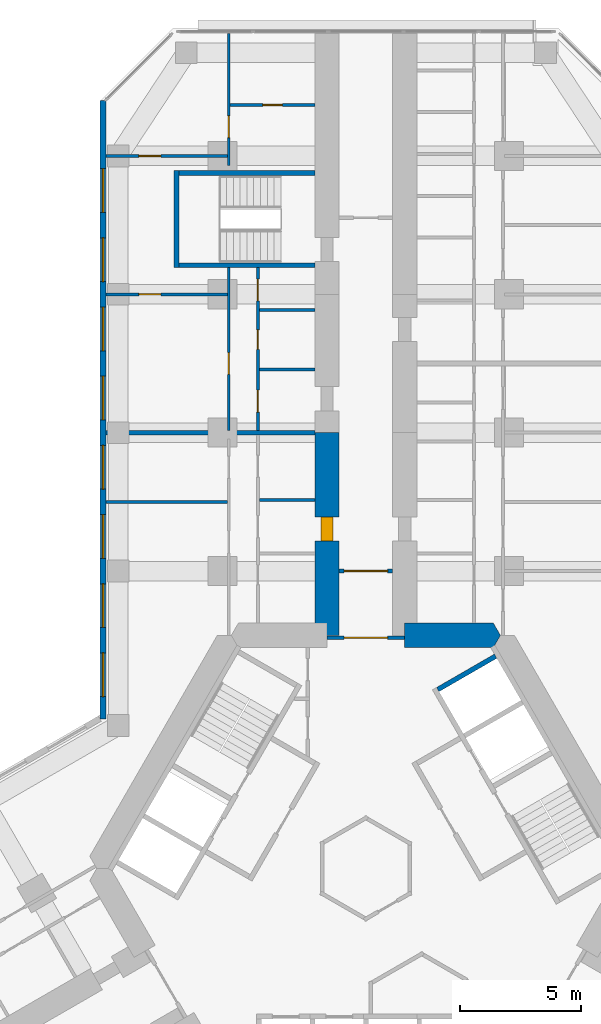
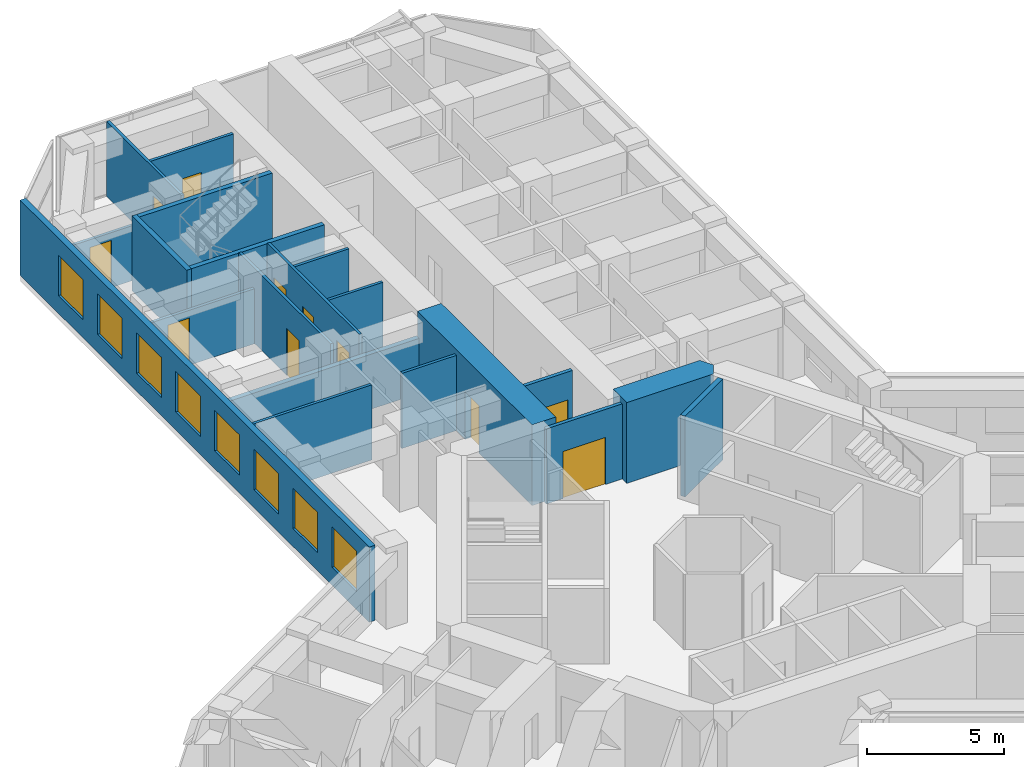
# One storey, part 17 of 21: 20 walls, 11 doors, 8 windows, 19 openings.
"""IFC4 building model written with IfcOpenShell, lengths in metres."""

import ifcopenshell
import ifcopenshell.guid

model = None  # the IFC model being written
_history = None  # IfcOwnerHistory: only IFC2X3 demands one
_inside = {}  # id of a spatial element -> (the spatial element, [elements in it])
_under = {}  # id of a project, library or spatial element -> (it, [spatial elements below it])
_declared = {}  # id of a project -> (the project, [libraries it declares])
_typed = {}  # id of a type object -> (the type object, [elements of that type])
_made_of = {}  # id of a material, layer set ... -> (it, [elements and type objects made of it])


def new_model(schema):
    """Start an empty IFC model of exactly this schema.

    Asked for "IFC4X3", IfcOpenShell would pick the latest addendum, in which some entities
    have other attributes; the version numbers below select the first issue.
    IFC2X3 requires an IfcOwnerHistory on every rooted entity: one is made here for all.
    """
    global model, _history
    if schema == "IFC4X3":
        model = ifcopenshell.file(schema_version=(4, 3, 0, 0))
    else:
        model = ifcopenshell.file(schema=schema)
    _inside.clear()
    _under.clear()
    _declared.clear()
    _typed.clear()
    _made_of.clear()
    _history = None
    if model.schema == "IFC2X3":
        org = make("IfcOrganization", Name="unknown")
        user = make(
            "IfcPersonAndOrganization",
            ThePerson=make("IfcPerson", FamilyName="unknown"),
            TheOrganization=org,
        )
        app = make(
            "IfcApplication",
            ApplicationDeveloper=org,
            Version="unknown",
            ApplicationFullName="unknown",
            ApplicationIdentifier="unknown",
        )
        _history = make(
            "IfcOwnerHistory",
            OwningUser=user,
            OwningApplication=app,
            ChangeAction="ADDED",
            CreationDate=0,
        )
    return model


def make(cls, **values):
    """One entity of the class cls with the attributes given. An attribute that is None is left unset."""
    return model.create_entity(
        cls, **{name: value for name, value in values.items() if value is not None}
    )


def rooted(cls, **values):
    """An entity with a GlobalId (a new one), such as an element, a storey or a relation."""
    return make(cls, GlobalId=ifcopenshell.guid.new(), OwnerHistory=_history, **values)


def si_unit(unit_type, name, prefix=None):
    """IfcSIUnit, for example si_unit("LENGTHUNIT", "METRE", prefix="MILLI")."""
    return make("IfcSIUnit", UnitType=unit_type, Prefix=prefix, Name=name)


def assignment(units):
    """IfcUnitAssignment: the units of a project."""
    return None if units is None else make("IfcUnitAssignment", Units=units)


def point(xyz):
    """IfcCartesianPoint."""
    return None if xyz is None else make("IfcCartesianPoint", Coordinates=xyz)


def direction(xyz):
    """IfcDirection."""
    return None if xyz is None else make("IfcDirection", DirectionRatios=xyz)


def frame(location, z_axis=None, x_axis=None):
    """IfcAxis2Placement3D, a coordinate frame: its origin and axes. An axis left out is left unset."""
    return make(
        "IfcAxis2Placement3D",
        Location=point(location),
        Axis=direction(z_axis),
        RefDirection=direction(x_axis),
    )


def frame_2d(location, x_axis=None):
    """IfcAxis2Placement2D, a coordinate frame in the plane: its origin and x axis."""
    return make(
        "IfcAxis2Placement2D", Location=point(location), RefDirection=direction(x_axis)
    )


def origin():
    """The frame at (0, 0, 0) with its axes left unset."""
    return frame((0.0, 0.0, 0.0))


def place(relative_to, where):
    """IfcLocalPlacement: puts the frame where relative to a parent placement (None: the world)."""
    return make(
        "IfcLocalPlacement", PlacementRelTo=relative_to, RelativePlacement=where
    )


def context(
    kind, dimensions, precision=None, world=None, true_north=None, identifier=None
):
    """IfcGeometricRepresentationContext, for example the 3D "Model" context."""
    return make(
        "IfcGeometricRepresentationContext",
        ContextIdentifier=identifier,
        ContextType=kind,
        CoordinateSpaceDimension=dimensions,
        Precision=precision,
        WorldCoordinateSystem=world,
        TrueNorth=true_north,
    )


def subcontext(parent, identifier, kind, view, scale=None):
    """IfcGeometricRepresentationSubContext, for example "Body" below "Model"."""
    return make(
        "IfcGeometricRepresentationSubContext",
        ContextIdentifier=identifier,
        ContextType=kind,
        ParentContext=parent,
        TargetScale=scale,
        TargetView=view,
    )


def project(units=None, contexts=None):
    """IfcProject with its units and contexts."""
    return rooted(
        "IfcProject",
        Name="project",
        RepresentationContexts=contexts,
        UnitsInContext=assignment(units),
    )


def spatial(cls, under=None, at=None, **own):
    """A site, building, storey or space (cls), placed at a placement, below another one or the project."""
    s = rooted(cls, ObjectPlacement=at, **own)
    if under is not None:
        _under.setdefault(under.id(), (under, []))[1].append(s)
    return s


def polyline(points):
    """IfcPolyline through the points."""
    return make("IfcPolyline", Points=[point(p) for p in points])


def profile(cls, at=None, kind="AREA", **sizes):
    """A parametric profile (cls). Its sizes go by their IFC names, for example OverallWidth=200.0."""
    return make(cls, ProfileType=kind, Position=at, **sizes)


def rectangle(**sizes):
    """IfcRectangleProfileDef."""
    return profile("IfcRectangleProfileDef", **sizes)


def outline(outer, holes=None, kind="AREA"):
    """IfcArbitraryClosedProfileDef: a profile drawn as a closed curve; with holes, ...WithVoids."""
    if holes is None:
        return make("IfcArbitraryClosedProfileDef", ProfileType=kind, OuterCurve=outer)
    return make(
        "IfcArbitraryProfileDefWithVoids",
        ProfileType=kind,
        OuterCurve=outer,
        InnerCurves=holes,
    )


def extrude(swept, where, along, depth):
    """IfcExtrudedAreaSolid: the profile swept, set in the frame where, extruded along a direction by depth."""
    return make(
        "IfcExtrudedAreaSolid",
        SweptArea=swept,
        Position=where,
        ExtrudedDirection=direction(along),
        Depth=depth,
    )


def shape(context_of_items, identifier, shape_type, items):
    """IfcShapeRepresentation: the items that make up one representation, for example the "Body"."""
    return make(
        "IfcShapeRepresentation",
        ContextOfItems=context_of_items,
        RepresentationIdentifier=identifier,
        RepresentationType=shape_type,
        Items=items,
    )


def material(Name=None, Category=None):
    """IfcMaterial."""
    return make("IfcMaterial", Name=Name, Category=Category)


def layer(
    of_material, thickness, ventilated=None, Name=None, Category=None, Priority=None
):
    """IfcMaterialLayer: one layer of a wall or slab, of a material (None: an air gap)."""
    return make(
        "IfcMaterialLayer",
        Material=of_material,
        LayerThickness=thickness,
        IsVentilated=ventilated,
        Name=Name,
        Category=Category,
        Priority=Priority,
    )


def layer_set(layers, Name=None):
    """IfcMaterialLayerSet."""
    return make("IfcMaterialLayerSet", MaterialLayers=layers, LayerSetName=Name)


def made_of(thing, what):
    """Note that an element or type object is made of a material, layer set ...; save() writes the relation."""
    if what is not None:
        _made_of.setdefault(what.id(), (what, []))[1].append(thing)
    return thing


def type_object(cls, material=None, **own):
    """A type object (cls), such as IfcWallType, which elements share."""
    return made_of(rooted(cls, **own), material)


def element(
    cls,
    number,
    at=None,
    inside=None,
    cuts=None,
    type_object=None,
    material=None,
    context=None,
    identifier="Body",
    shape_type=None,
    held_by="IfcProductDefinitionShape",
    body=None,
    shapes=None,
    **own,
):
    """One element of the class cls, such as IfcWall. Its Tag is "e" and its number.

    at: its placement. inside: the storey or other place that contains it. cuts: it is an
    opening in that element (IfcRelVoidsElement). A single representation is given by context,
    identifier, shape_type and body (its items); several are given by shapes. held_by: the class
    of the entity that holds the representations. save() writes the other relations.
    """
    e = rooted(cls, Tag="e%d" % number, ObjectPlacement=at, **own)
    if body is not None:
        shapes = [shape(context, identifier, shape_type, body)]
    if shapes is not None:
        e.Representation = make(held_by, Representations=shapes)
    if inside is not None:
        _inside.setdefault(inside.id(), (inside, []))[1].append(e)
    if cuts is not None:
        rooted(
            "IfcRelVoidsElement", RelatingBuildingElement=cuts, RelatedOpeningElement=e
        )
    if type_object is not None:
        _typed.setdefault(type_object.id(), (type_object, []))[1].append(e)
    return made_of(e, material)


def fill(opening, filler):
    """IfcRelFillsElement: the door or window that sits in an opening."""
    return rooted(
        "IfcRelFillsElement",
        RelatingOpeningElement=opening,
        RelatedBuildingElement=filler,
    )


def aggregate(whole, parts):
    """IfcRelAggregates: a whole, such as a stair, and the parts it consists of."""
    return rooted("IfcRelAggregates", RelatingObject=whole, RelatedObjects=parts)


def save(model, path):
    """Write the relations noted so far, then the file.

    IfcRelAggregates (storeys below a building ...), IfcRelContainedInSpatialStructure (elements
    in a storey), IfcRelDefinesByType, IfcRelAssociatesMaterial and IfcRelDeclares: one each for
    every whole, place, type object, material and project.
    """
    for whole, parts in _under.values():
        aggregate(whole, parts)
    for where, things in _inside.values():
        rooted(
            "IfcRelContainedInSpatialStructure",
            RelatedElements=things,
            RelatingStructure=where,
        )
    for kind, things in _typed.values():
        rooted("IfcRelDefinesByType", RelatedObjects=things, RelatingType=kind)
    for what, things in _made_of.values():
        rooted("IfcRelAssociatesMaterial", RelatedObjects=things, RelatingMaterial=what)
    for by, libraries in _declared.values():
        rooted("IfcRelDeclares", RelatingContext=by, RelatedDefinitions=libraries)
    model.write(path)


model = new_model("IFC4")

# Units and contexts
model_context = context("Model", 3, precision=1e-05, world=origin(), true_north=direction((0.0, 1.0)))
body_context = subcontext(model_context, "Body", "Model", "MODEL_VIEW")
ifc_project = project(units=[si_unit("LENGTHUNIT", "METRE"), si_unit("AREAUNIT", "SQUARE_METRE"), si_unit("VOLUMEUNIT", "CUBIC_METRE"), si_unit("PLANEANGLEUNIT", "RADIAN"), si_unit("MASSUNIT", "GRAM", prefix="KILO")], contexts=[model_context])

# Site, building, storey
site_placement = place(None, origin())
site = spatial("IfcSite", under=ifc_project, at=site_placement, CompositionType="ELEMENT")
building_placement = place(site_placement, origin())
building = spatial("IfcBuilding", under=site, at=building_placement, Name="Kosmar Iwan School Tower", CompositionType="ELEMENT")
storey_placement = place(building_placement, frame((0.0, 0.0, 80.800048828125)))
storey = spatial("IfcBuildingStorey", under=building, at=storey_placement, Name="L19", CompositionType="ELEMENT", Elevation=80.800048828125)

# Wall
ifc_material_1 = material(Name="Concrete C50/60", Category="concrete")
ifc_layer_1 = layer(ifc_material_1, 1.0)
ifc_layer_set_1 = layer_set([ifc_layer_1], Name="Core wall 1000")
wall_type_1 = type_object("IfcWallType", Name="Core wall 1000", PredefinedType="SHEAR", material=ifc_layer_set_1)
wall_1_placement = place(storey_placement, origin())
element("IfcWall", 1, at=wall_1_placement, inside=storey, type_object=wall_type_1, Name="Core wall F090a", PredefinedType="SHEAR", context=body_context, shape_type="SweptSolid", body=[
    extrude(outline(polyline([(1.60009765625, 9.10009765625), (5.25390625, 9.10009765625), (5.54248046875, 9.60009765625), (5.25390625, 10.10009765625), (1.60009765625, 10.10009765625), (1.60009765625, 9.10009765625)])), origin(), (0.0, 0.0, 1.0), 3.599853515625),
])

# Wall, opening, door
ifc_material_2 = material(Name="Concrete C50/60", Category="concrete")
ifc_layer_2 = layer(ifc_material_2, 1.0)
ifc_layer_set_2 = layer_set([ifc_layer_2], Name="Corridor buttress wall 1000")
wall_type_2 = type_object("IfcWallType", Name="Corridor buttress wall 1000", PredefinedType="SHEAR", material=ifc_layer_set_2)
wall_2_placement = place(storey_placement, frame((-1.60009765625, 9.60009765625, 0.0), z_axis=(0.0, 0.0, 1.0), x_axis=(0.0, 1.0, 0.0)))
wall_2 = element("IfcWall", 2, at=wall_2_placement, inside=storey, type_object=wall_type_2, Name="Corridor wall AL", PredefinedType="SHEAR", context=body_context, shape_type="SweptSolid", body=[
    extrude(rectangle(XDim=8.349853515625, YDim=1.0, at=frame_2d((4.1748046875, 0.0))), origin(), (0.0, 0.0, 1.0), 3.599853515625),
])
opening_1_placement = place(wall_2_placement, frame((3.8798828125, 0.0, 0.0)))
opening_1 = element("IfcOpeningElement", 3, at=opening_1_placement, cuts=wall_2, Name="Opening D1", PredefinedType="OPENING", context=body_context, shape_type="SweptSolid", body=[
    extrude(rectangle(XDim=1.0, YDim=2.10009765625, at=frame_2d((0.5, 1.050048828125))), frame((0.0, 0.511962890625, 0.0), z_axis=(0.0, -1.0, 0.0), x_axis=(1.0, 0.0, 0.0)), (0.0, 0.0, 1.0), 1.02392578125),
])
ifc_material_3 = material(Name="Timber fire door in steel frame", Category="steel")
door_type_1 = type_object("IfcDoorType", Name="Flat entrance door 1000x2100", OperationType="SINGLE_SWING_LEFT", PredefinedType="DOOR", material=ifc_material_3)
door_1_placement = place(opening_1_placement, origin())
door_1 = element("IfcDoor", 4, at=door_1_placement, inside=storey, type_object=door_type_1, Name="Flat L19-AL1 entrance door", OperationType="SINGLE_SWING_LEFT", OverallHeight=2.10009765625, OverallWidth=1.0, PredefinedType="DOOR", context=body_context, shape_type="SweptSolid", body=[
    extrude(rectangle(XDim=1.0, YDim=2.10009765625, at=frame_2d((0.5, 1.050048828125))), frame((0.0, 0.25, 0.0), z_axis=(0.0, -1.0, 0.0), x_axis=(1.0, 0.0, 0.0)), (0.0, 0.0, 1.0), 0.5),
])
fill(opening_1, door_1)

ifc_material_4 = material(Name="Gypsum board on steel studs, fire-rated", Category="steel")
ifc_layer_3 = layer(ifc_material_4, 0.14990234375)
ifc_layer_set_3 = layer_set([ifc_layer_3], Name="Corridor end wall 150")
wall_type_3 = type_object("IfcWallType", Name="Corridor end wall 150", PredefinedType="PARTITIONING", material=ifc_layer_set_3)
wall_3_placement = place(storey_placement, frame((1.10009765625, 12.25, 0.0), z_axis=(0.0, 0.0, 1.0), x_axis=(-1.0, 0.0, 0.0)))
wall_3 = element("IfcWall", 5, at=wall_3_placement, inside=storey, type_object=wall_type_3, Name="Partition L19-A-HW", PredefinedType="PARTITIONING", context=body_context, shape_type="SweptSolid", body=[
    extrude(rectangle(XDim=2.2001953125, YDim=0.14990234375, at=frame_2d((1.10009765625, 0.0))), origin(), (0.0, 0.0, 1.0), 3.349853515625),
])
opening_2_placement = place(wall_3_placement, frame((0.199951171875, 0.0, 0.0)))
opening_2 = element("IfcOpeningElement", 6, at=opening_2_placement, cuts=wall_3, Name="Opening D9", PredefinedType="OPENING", context=body_context, shape_type="SweptSolid", body=[
    extrude(rectangle(XDim=1.800048828125, YDim=2.10009765625, at=frame_2d((0.89990234375, 1.050048828125))), frame((0.0, 0.0869140625, 0.0), z_axis=(0.0, -1.0, 0.0), x_axis=(1.0, 0.0, 0.0)), (0.0, 0.0, 1.0), 0.173828125),
])
ifc_material_5 = material(Name="Steel framed glazed smoke door", Category="steel")
door_type_2 = type_object("IfcDoorType", Name="Corridor smoke door pair 1800x2100", OperationType="DOUBLE_DOOR_DOUBLE_SWING", PredefinedType="DOOR", material=ifc_material_5)
door_2_placement = place(opening_2_placement, origin())
door_2 = element("IfcDoor", 7, at=door_2_placement, inside=storey, type_object=door_type_2, Name="Entrance vestibule smoke doors L19-A", OperationType="DOUBLE_DOOR_DOUBLE_SWING", OverallHeight=2.10009765625, OverallWidth=1.800048828125, PredefinedType="DOOR", context=body_context, shape_type="SweptSolid", body=[
    extrude(rectangle(XDim=1.800048828125, YDim=2.10009765625, at=frame_2d((0.89990234375, 1.050048828125))), frame((0.0, 0.02490234375, 0.0), z_axis=(0.0, -1.0, 0.0), x_axis=(1.0, 0.0, 0.0)), (0.0, 0.0, 1.0), 0.050048828125),
])
fill(opening_2, door_2)

ifc_material_6 = material(Name="Steel framed glazed screen", Category="steel")
ifc_layer_4 = layer(ifc_material_6, 0.14990234375)
ifc_layer_set_4 = layer_set([ifc_layer_4], Name="Corridor screen wall 150")
wall_type_4 = type_object("IfcWallType", Name="Corridor screen wall 150", PredefinedType="PARTITIONING", material=ifc_layer_set_4)
wall_4_placement = place(storey_placement, frame((1.60009765625, 9.5, 0.0), z_axis=(0.0, 0.0, 1.0), x_axis=(-1.0, 0.0, 0.0)))
wall_4 = element("IfcWall", 8, at=wall_4_placement, inside=storey, type_object=wall_type_4, Name="Corridor screen A L19", PredefinedType="PARTITIONING", context=body_context, shape_type="SweptSolid", body=[
    extrude(rectangle(XDim=3.2001953125, YDim=0.14990234375, at=frame_2d((1.60009765625, 0.0))), origin(), (0.0, 0.0, 1.0), 3.349853515625),
])
opening_3_placement = place(wall_4_placement, frame((0.699951171875, 0.0, 0.0)))
opening_3 = element("IfcOpeningElement", 9, at=opening_3_placement, cuts=wall_4, Name="Opening D9", PredefinedType="OPENING", context=body_context, shape_type="SweptSolid", body=[
    extrude(rectangle(XDim=1.800048828125, YDim=2.10009765625, at=frame_2d((0.89990234375, 1.050048828125))), frame((0.0, 0.0869140625, 0.0), z_axis=(0.0, -1.0, 0.0), x_axis=(1.0, 0.0, 0.0)), (0.0, 0.0, 1.0), 0.173828125),
])
door_3_placement = place(opening_3_placement, origin())
door_3 = element("IfcDoor", 10, at=door_3_placement, inside=storey, type_object=door_type_2, Name="Corridor doors A L19", OperationType="DOUBLE_DOOR_DOUBLE_SWING", OverallHeight=2.10009765625, OverallWidth=1.800048828125, PredefinedType="DOOR", context=body_context, shape_type="SweptSolid", body=[
    extrude(rectangle(XDim=1.800048828125, YDim=2.10009765625, at=frame_2d((0.89990234375, 1.050048828125))), frame((0.0, 0.02490234375, 0.0), z_axis=(0.0, -1.0, 0.0), x_axis=(1.0, 0.0, 0.0)), (0.0, 0.0, 1.0), 0.050048828125),
])
fill(opening_3, door_3)

# Walls
ifc_material_7 = material(Name="Gypsum board on steel studs", Category="steel")
ifc_layer_5 = layer(ifc_material_7, 0.1201171875)
ifc_layer_set_5 = layer_set([ifc_layer_5], Name="Dwelling partition 120")
wall_type_5 = type_object("IfcWallType", Name="Dwelling partition 120", PredefinedType="PARTITIONING", material=ifc_layer_set_5)
wall_5_placement = place(storey_placement, frame((-5.7099609375, 15.10009765625, 0.0), z_axis=(0.0, 0.0, 1.0), x_axis=(-1.0, 0.0, 0.0)))
element("IfcWall", 11, at=wall_5_placement, inside=storey, type_object=wall_type_5, Name="Partition L19-AL1-X1", PredefinedType="PARTITIONING", context=body_context, shape_type="SweptSolid", body=[
    extrude(rectangle(XDim=4.989990234375, YDim=0.1201171875, at=frame_2d((2.4951171875, 0.0))), origin(), (0.0, 0.0, 1.0), 3.349853515625),
])
wall_6_placement = place(storey_placement, frame((-2.10009765625, 15.179931640625, 0.0), z_axis=(0.0, 0.0, 1.0), x_axis=(-1.0, 0.0, 0.0)))
element("IfcWall", 12, at=wall_6_placement, inside=storey, type_object=wall_type_5, Name="Partition L19-AL1-Y2", PredefinedType="PARTITIONING", context=body_context, shape_type="SweptSolid", body=[
    extrude(rectangle(XDim=2.289794921875, YDim=0.1201171875, at=frame_2d((1.14501953125, 0.0))), origin(), (0.0, 0.0, 1.0), 3.349853515625),
])

# Wall, openings, doors
wall_7_placement = place(storey_placement, frame((-4.449951171875, 18.050048828125, 0.0), z_axis=(0.0, 0.0, 1.0), x_axis=(0.0, 1.0, 0.0)))
wall_7 = element("IfcWall", 13, at=wall_7_placement, inside=storey, type_object=wall_type_5, Name="Partition L19-AL2-W1", PredefinedType="PARTITIONING", context=body_context, shape_type="SweptSolid", body=[
    extrude(rectangle(XDim=6.699951171875, YDim=0.1201171875, at=frame_2d((3.35009765625, 0.0))), origin(), (0.0, 0.0, 1.0), 3.349853515625),
])
opening_4_placement = place(wall_7_placement, frame((0.75, 0.0, 0.0)))
opening_4 = element("IfcOpeningElement", 14, at=opening_4_placement, cuts=wall_7, Name="Opening D2", PredefinedType="OPENING", context=body_context, shape_type="SweptSolid", body=[
    extrude(rectangle(XDim=0.89990234375, YDim=2.10009765625, at=frame_2d((0.449951171875, 1.050048828125))), frame((0.0, 0.072021484375, 0.0), z_axis=(0.0, -1.0, 0.0), x_axis=(1.0, 0.0, 0.0)), (0.0, 0.0, 1.0), 0.14404296875),
])
opening_5_placement = place(wall_7_placement, frame((3.330078125, 0.0, 0.0)))
opening_5 = element("IfcOpeningElement", 15, at=opening_5_placement, cuts=wall_7, Name="Opening D3", PredefinedType="OPENING", context=body_context, shape_type="SweptSolid", body=[
    extrude(rectangle(XDim=0.800048828125, YDim=2.10009765625, at=frame_2d((0.39990234375, 1.050048828125))), frame((0.0, 0.072021484375, 0.0), z_axis=(0.0, -1.0, 0.0), x_axis=(1.0, 0.0, 0.0)), (0.0, 0.0, 1.0), 0.14404296875),
])
opening_6_placement = place(wall_7_placement, frame((5.330078125, 0.0, 0.0)))
opening_6 = element("IfcOpeningElement", 16, at=opening_6_placement, cuts=wall_7, Name="Opening D2", PredefinedType="OPENING", context=body_context, shape_type="SweptSolid", body=[
    extrude(rectangle(XDim=0.89990234375, YDim=2.10009765625, at=frame_2d((0.449951171875, 1.050048828125))), frame((0.0, 0.072021484375, 0.0), z_axis=(0.0, -1.0, 0.0), x_axis=(1.0, 0.0, 0.0)), (0.0, 0.0, 1.0), 0.14404296875),
])
ifc_material_8 = material(Name="Timber door in timber frame", Category="wood")
door_type_3 = type_object("IfcDoorType", Name="Internal door 900x2100", OperationType="SINGLE_SWING_LEFT", PredefinedType="DOOR", material=ifc_material_8)
door_4_placement = place(opening_4_placement, origin())
door_4 = element("IfcDoor", 17, at=door_4_placement, inside=storey, type_object=door_type_3, Name="Entrance hall door L19-AL2-S1", OperationType="SINGLE_SWING_LEFT", OverallHeight=2.10009765625, OverallWidth=0.89990234375, PredefinedType="DOOR", context=body_context, shape_type="SweptSolid", body=[
    extrude(rectangle(XDim=0.89990234375, YDim=2.10009765625, at=frame_2d((0.449951171875, 1.050048828125))), frame((0.0, 0.02490234375, 0.0), z_axis=(0.0, -1.0, 0.0), x_axis=(1.0, 0.0, 0.0)), (0.0, 0.0, 1.0), 0.050048828125),
])
fill(opening_4, door_4)
door_5_placement = place(opening_6_placement, frame((0.89990234375, 0.0, 0.0), z_axis=(0.0, 0.0, 1.0), x_axis=(-1.0, 0.0, 0.0)))
door_5 = element("IfcDoor", 18, at=door_5_placement, inside=storey, type_object=door_type_3, Name="Pantry door L19-AL2-S3", OperationType="SINGLE_SWING_LEFT", OverallHeight=2.10009765625, OverallWidth=0.89990234375, PredefinedType="DOOR", context=body_context, shape_type="SweptSolid", body=[
    extrude(rectangle(XDim=0.89990234375, YDim=2.10009765625, at=frame_2d((0.449951171875, 1.050048828125))), frame((0.0, 0.02490234375, 0.0), z_axis=(0.0, -1.0, 0.0), x_axis=(1.0, 0.0, 0.0)), (0.0, 0.0, 1.0), 0.050048828125),
])
fill(opening_6, door_5)
ifc_material_9 = material(Name="Timber door in timber frame", Category="wood")
door_type_4 = type_object("IfcDoorType", Name="Sanitary room door 800x2100", OperationType="SINGLE_SWING_LEFT", PredefinedType="DOOR", material=ifc_material_9)
door_6_placement = place(opening_5_placement, origin())
door_6 = element("IfcDoor", 19, at=door_6_placement, inside=storey, type_object=door_type_4, Name="Bathroom door L19-AL2-S2", OperationType="SINGLE_SWING_RIGHT", OverallHeight=2.10009765625, OverallWidth=0.800048828125, PredefinedType="DOOR", context=body_context, shape_type="SweptSolid", body=[
    extrude(rectangle(XDim=0.800048828125, YDim=2.10009765625, at=frame_2d((0.39990234375, 1.050048828125))), frame((0.0, 0.02490234375, 0.0), z_axis=(0.0, -1.0, 0.0), x_axis=(1.0, 0.0, 0.0)), (0.0, 0.0, 1.0), 0.050048828125),
])
fill(opening_5, door_6)

# Wall, opening, door
wall_8_placement = place(storey_placement, frame((-5.64990234375, 18.050048828125, 0.0), z_axis=(0.0, 0.0, 1.0), x_axis=(0.0, 1.0, 0.0)))
wall_8 = element("IfcWall", 20, at=wall_8_placement, inside=storey, type_object=wall_type_5, Name="Partition L19-AL2-W2", PredefinedType="PARTITIONING", context=body_context, shape_type="SweptSolid", body=[
    extrude(rectangle(XDim=6.699951171875, YDim=0.1201171875, at=frame_2d((3.35009765625, 0.0))), origin(), (0.0, 0.0, 1.0), 3.349853515625),
])
opening_7_placement = place(wall_8_placement, frame((2.300048828125, 0.0, 0.0)))
opening_7 = element("IfcOpeningElement", 21, at=opening_7_placement, cuts=wall_8, Name="Opening D2", PredefinedType="OPENING", context=body_context, shape_type="SweptSolid", body=[
    extrude(rectangle(XDim=0.89990234375, YDim=2.10009765625, at=frame_2d((0.449951171875, 1.050048828125))), frame((0.0, 0.072021484375, 0.0), z_axis=(0.0, -1.0, 0.0), x_axis=(1.0, 0.0, 0.0)), (0.0, 0.0, 1.0), 0.14404296875),
])
door_7_placement = place(opening_7_placement, origin())
door_7 = element("IfcDoor", 22, at=door_7_placement, inside=storey, type_object=door_type_3, Name="Studio living room and kitchen door L19-AL2-F1", OperationType="SINGLE_SWING_LEFT", OverallHeight=2.10009765625, OverallWidth=0.89990234375, PredefinedType="DOOR", context=body_context, shape_type="SweptSolid", body=[
    extrude(rectangle(XDim=0.89990234375, YDim=2.10009765625, at=frame_2d((0.449951171875, 1.050048828125))), frame((0.0, 0.02490234375, 0.0), z_axis=(0.0, -1.0, 0.0), x_axis=(1.0, 0.0, 0.0)), (0.0, 0.0, 1.0), 0.050048828125),
])
fill(opening_7, door_7)

# Walls
for number, where, z_axis, x_axis, name in (
    (23, (-2.10009765625, 20.550048828125, 0.0), (0.0, 0.0, 1.0), (-1.0, 0.0, 0.0), "Partition L19-AL2-Y1"),
    (24, (-2.10009765625, 23.010009765625, 0.0), (0.0, 0.0, 1.0), (-1.0, 0.0, 0.0), "Partition L19-AL2-Y2"),
):
    element("IfcWall", number, at=place(storey_placement, frame(where, z_axis=z_axis, x_axis=x_axis)), inside=storey, type_object=wall_type_5, Name=name, PredefinedType="PARTITIONING", context=body_context, shape_type="SweptSolid", body=[
        extrude(rectangle(XDim=2.289794921875, YDim=0.1201171875, at=frame_2d((1.14501953125, 0.0))), origin(), (0.0, 0.0, 1.0), 3.349853515625),
    ])

# Wall, opening, door
wall_9_placement = place(storey_placement, frame((-5.7099609375, 23.64990234375, 0.0), z_axis=(0.0, 0.0, 1.0), x_axis=(-1.0, 0.0, 0.0)))
wall_9 = element("IfcWall", 25, at=wall_9_placement, inside=storey, type_object=wall_type_5, Name="Partition L19-AL2-TB", PredefinedType="PARTITIONING", context=body_context, shape_type="SweptSolid", body=[
    extrude(rectangle(XDim=4.989990234375, YDim=0.1201171875, at=frame_2d((2.4951171875, 0.0))), origin(), (0.0, 0.0, 1.0), 2.449951171875),
])
opening_8_placement = place(wall_9_placement, frame((2.739990234375, 0.0, 0.0)))
opening_8 = element("IfcOpeningElement", 26, at=opening_8_placement, cuts=wall_9, Name="Opening D2", PredefinedType="OPENING", context=body_context, shape_type="SweptSolid", body=[
    extrude(rectangle(XDim=0.89990234375, YDim=2.10009765625, at=frame_2d((0.449951171875, 1.050048828125))), frame((0.0, 0.072021484375, 0.0), z_axis=(0.0, -1.0, 0.0), x_axis=(1.0, 0.0, 0.0)), (0.0, 0.0, 1.0), 0.14404296875),
])
door_8_placement = place(opening_8_placement, origin())
door_8 = element("IfcDoor", 27, at=door_8_placement, inside=storey, type_object=door_type_3, Name="Study door L19-AL2-F1", OperationType="SINGLE_SWING_RIGHT", OverallHeight=2.10009765625, OverallWidth=0.89990234375, PredefinedType="DOOR", context=body_context, shape_type="SweptSolid", body=[
    extrude(rectangle(XDim=0.89990234375, YDim=2.10009765625, at=frame_2d((0.449951171875, 1.050048828125))), frame((0.0, 0.02490234375, 0.0), z_axis=(0.0, -1.0, 0.0), x_axis=(1.0, 0.0, 0.0)), (0.0, 0.0, 1.0), 0.050048828125),
])
fill(opening_8, door_8)

wall_10_placement = place(storey_placement, frame((-5.7099609375, 29.35009765625, 0.0), z_axis=(0.0, 0.0, 1.0), x_axis=(-1.0, 0.0, 0.0)))
wall_10 = element("IfcWall", 28, at=wall_10_placement, inside=storey, type_object=wall_type_5, Name="Partition L19-AL2-TX", PredefinedType="PARTITIONING", context=body_context, shape_type="SweptSolid", body=[
    extrude(rectangle(XDim=4.989990234375, YDim=0.1201171875, at=frame_2d((2.4951171875, 0.0))), origin(), (0.0, 0.0, 1.0), 2.449951171875),
])
opening_9_placement = place(wall_10_placement, frame((2.739990234375, 0.0, 0.0)))
opening_9 = element("IfcOpeningElement", 29, at=opening_9_placement, cuts=wall_10, Name="Opening D2", PredefinedType="OPENING", context=body_context, shape_type="SweptSolid", body=[
    extrude(rectangle(XDim=0.89990234375, YDim=2.10009765625, at=frame_2d((0.449951171875, 1.050048828125))), frame((0.0, 0.072021484375, 0.0), z_axis=(0.0, -1.0, 0.0), x_axis=(1.0, 0.0, 0.0)), (0.0, 0.0, 1.0), 0.14404296875),
])
door_9_placement = place(opening_9_placement, origin())
door_9 = element("IfcDoor", 30, at=door_9_placement, inside=storey, type_object=door_type_3, Name="Study door L19-AL2-T1", OperationType="SINGLE_SWING_RIGHT", OverallHeight=2.10009765625, OverallWidth=0.89990234375, PredefinedType="DOOR", context=body_context, shape_type="SweptSolid", body=[
    extrude(rectangle(XDim=0.89990234375, YDim=2.10009765625, at=frame_2d((0.449951171875, 1.050048828125))), frame((0.0, 0.02490234375, 0.0), z_axis=(0.0, -1.0, 0.0), x_axis=(1.0, 0.0, 0.0)), (0.0, 0.0, 1.0), 0.050048828125),
])
fill(opening_9, door_9)

wall_11_placement = place(storey_placement, frame((-5.64990234375, 28.949951171875, 0.0), z_axis=(0.0, 0.0, 1.0), x_axis=(0.0, 1.0, 0.0)))
wall_11 = element("IfcWall", 31, at=wall_11_placement, inside=storey, type_object=wall_type_5, Name="Partition L19-AL2-TW", PredefinedType="PARTITIONING", context=body_context, shape_type="SweptSolid", body=[
    extrude(rectangle(XDim=5.445068359375, YDim=0.1201171875, at=frame_2d((2.72265625, 0.0))), origin(), (0.0, 0.0, 1.0), 3.349853515625),
])
opening_10_placement = place(wall_11_placement, frame((1.14990234375, 0.0, 0.0)))
opening_10 = element("IfcOpeningElement", 32, at=opening_10_placement, cuts=wall_11, Name="Opening D2", PredefinedType="OPENING", context=body_context, shape_type="SweptSolid", body=[
    extrude(rectangle(XDim=0.89990234375, YDim=2.10009765625, at=frame_2d((0.449951171875, 1.050048828125))), frame((0.0, 0.072021484375, 0.0), z_axis=(0.0, -1.0, 0.0), x_axis=(1.0, 0.0, 0.0)), (0.0, 0.0, 1.0), 0.14404296875),
])
door_10_placement = place(opening_10_placement, origin())
door_10 = element("IfcDoor", 33, at=door_10_placement, inside=storey, type_object=door_type_3, Name="Dressing room door L19-AL2-T3", OperationType="SINGLE_SWING_LEFT", OverallHeight=2.10009765625, OverallWidth=0.89990234375, PredefinedType="DOOR", context=body_context, shape_type="SweptSolid", body=[
    extrude(rectangle(XDim=0.89990234375, YDim=2.10009765625, at=frame_2d((0.449951171875, 1.050048828125))), frame((0.0, 0.02490234375, 0.0), z_axis=(0.0, -1.0, 0.0), x_axis=(1.0, 0.0, 0.0)), (0.0, 0.0, 1.0), 0.050048828125),
])
fill(opening_10, door_10)

wall_12_placement = place(storey_placement, frame((-2.10009765625, 31.449951171875, 0.0), z_axis=(0.0, 0.0, 1.0), x_axis=(-1.0, 0.0, 0.0)))
wall_12 = element("IfcWall", 34, at=wall_12_placement, inside=storey, type_object=wall_type_5, Name="Partition L19-AL2-TY", PredefinedType="PARTITIONING", context=body_context, shape_type="SweptSolid", body=[
    extrude(rectangle(XDim=3.489990234375, YDim=0.1201171875, at=frame_2d((1.7451171875, 0.0))), origin(), (0.0, 0.0, 1.0), 3.349853515625),
])
opening_11_placement = place(wall_12_placement, frame((1.344970703125, 0.0, 0.0)))
opening_11 = element("IfcOpeningElement", 35, at=opening_11_placement, cuts=wall_12, Name="Opening D3", PredefinedType="OPENING", context=body_context, shape_type="SweptSolid", body=[
    extrude(rectangle(XDim=0.800048828125, YDim=2.10009765625, at=frame_2d((0.39990234375, 1.050048828125))), frame((0.0, 0.072021484375, 0.0), z_axis=(0.0, -1.0, 0.0), x_axis=(1.0, 0.0, 0.0)), (0.0, 0.0, 1.0), 0.14404296875),
])
door_11_placement = place(opening_11_placement, origin())
door_11 = element("IfcDoor", 36, at=door_11_placement, inside=storey, type_object=door_type_4, Name="Shower room door L19-AL2-T4", OperationType="SINGLE_SWING_RIGHT", OverallHeight=2.10009765625, OverallWidth=0.800048828125, PredefinedType="DOOR", context=body_context, shape_type="SweptSolid", body=[
    extrude(rectangle(XDim=0.800048828125, YDim=2.10009765625, at=frame_2d((0.39990234375, 1.050048828125))), frame((0.0, 0.02490234375, 0.0), z_axis=(0.0, -1.0, 0.0), x_axis=(1.0, 0.0, 0.0)), (0.0, 0.0, 1.0), 0.050048828125),
])
fill(opening_11, door_11)

# Walls
ifc_material_10 = material(Name="Concrete C35/45", Category="concrete")
ifc_layer_6 = layer(ifc_material_10, 0.199951171875)
ifc_layer_set_6 = layer_set([ifc_layer_6], Name="Escape stair wall 200")
wall_type_6 = type_object("IfcWallType", Name="Escape stair wall 200", PredefinedType="SHEAR", material=ifc_layer_set_6)
for number, where, z_axis, x_axis, name in (
    (37, (-2.10009765625, 24.85009765625, 0.0), (0.0, 0.0, 1.0), (-1.0, 0.0, 0.0), "Stair WS1 wall"),
    (38, (-2.10009765625, 28.64990234375, 0.0), (0.0, 0.0, 1.0), (-1.0, 0.0, 0.0), "Stair WS1 wall"),
):
    element("IfcWall", number, at=place(storey_placement, frame(where, z_axis=z_axis, x_axis=x_axis)), inside=storey, type_object=wall_type_6, Name=name, PredefinedType="SHEAR", context=body_context, shape_type="SweptSolid", body=[
        extrude(rectangle(XDim=5.7998046875, YDim=0.199951171875, at=frame_2d((2.89990234375, 0.0))), origin(), (0.0, 0.0, 1.0), 3.329833984375),
    ])
wall_13_placement = place(storey_placement, frame((-7.800048828125, 24.75, 0.0), z_axis=(0.0, 0.0, 1.0), x_axis=(0.0, 1.0, 0.0)))
element("IfcWall", 39, at=wall_13_placement, inside=storey, type_object=wall_type_6, Name="Stair WS1 wall", PredefinedType="SHEAR", context=body_context, shape_type="SweptSolid", body=[
    extrude(rectangle(XDim=4.0, YDim=0.199951171875, at=frame_2d((2.0, 0.0))), origin(), (0.0, 0.0, 1.0), 3.329833984375),
])

# Wall, openings, windows
ifc_material_11 = material(Name="Black aluminium rainscreen on insulated framing", Category="aluminium")
ifc_layer_7 = layer(ifc_material_11, 0.25)
ifc_layer_set_7 = layer_set([ifc_layer_7], Name="External wall rainscreen 250")
wall_type_7 = type_object("IfcWallType", Name="External wall rainscreen 250", PredefinedType="SOLIDWALL", material=ifc_layer_set_7)
wall_14_placement = place(storey_placement, frame((-10.824951171875, 6.14794921875, 0.0), z_axis=(0.0, 0.0, 1.0), x_axis=(0.0, 1.0, 0.0)))
wall_14 = element("IfcWall", 40, at=wall_14_placement, inside=storey, type_object=wall_type_7, Name="External wall AL L19", PredefinedType="SOLIDWALL", context=body_context, shape_type="SweptSolid", body=[
    extrude(rectangle(XDim=25.4873046875, YDim=0.25, at=frame_2d((12.74365234375, 0.0))), origin(), (0.0, 0.0, 1.0), 3.349853515625),
])
opening_12_placement = place(wall_14_placement, frame((0.927001953125, 0.0, 0.800048828125)))
opening_12 = element("IfcOpeningElement", 41, at=opening_12_placement, cuts=wall_14, Name="Opening W1", PredefinedType="OPENING", context=body_context, shape_type="SweptSolid", body=[
    extrude(rectangle(XDim=1.800048828125, YDim=1.800048828125, at=frame_2d((0.89990234375, 0.89990234375))), frame((0.0, 0.136962890625, 0.0), z_axis=(0.0, -1.0, 0.0), x_axis=(1.0, 0.0, 0.0)), (0.0, 0.0, 1.0), 0.27392578125),
])
opening_13_placement = place(wall_14_placement, frame((3.777099609375, 0.0, 0.800048828125)))
opening_13 = element("IfcOpeningElement", 42, at=opening_13_placement, cuts=wall_14, Name="Opening W1", PredefinedType="OPENING", context=body_context, shape_type="SweptSolid", body=[
    extrude(rectangle(XDim=1.800048828125, YDim=1.800048828125, at=frame_2d((0.89990234375, 0.89990234375))), frame((0.0, 0.136962890625, 0.0), z_axis=(0.0, -1.0, 0.0), x_axis=(1.0, 0.0, 0.0)), (0.0, 0.0, 1.0), 0.27392578125),
])
opening_14_placement = place(wall_14_placement, frame((6.626953125, 0.0, 0.800048828125)))
opening_14 = element("IfcOpeningElement", 43, at=opening_14_placement, cuts=wall_14, Name="Opening W1", PredefinedType="OPENING", context=body_context, shape_type="SweptSolid", body=[
    extrude(rectangle(XDim=1.800048828125, YDim=1.800048828125, at=frame_2d((0.89990234375, 0.89990234375))), frame((0.0, 0.136962890625, 0.0), z_axis=(0.0, -1.0, 0.0), x_axis=(1.0, 0.0, 0.0)), (0.0, 0.0, 1.0), 0.27392578125),
])
opening_15_placement = place(wall_14_placement, frame((9.47705078125, 0.0, 0.800048828125)))
opening_15 = element("IfcOpeningElement", 44, at=opening_15_placement, cuts=wall_14, Name="Opening W1", PredefinedType="OPENING", context=body_context, shape_type="SweptSolid", body=[
    extrude(rectangle(XDim=1.800048828125, YDim=1.800048828125, at=frame_2d((0.89990234375, 0.89990234375))), frame((0.0, 0.136962890625, 0.0), z_axis=(0.0, -1.0, 0.0), x_axis=(1.0, 0.0, 0.0)), (0.0, 0.0, 1.0), 0.27392578125),
])
opening_16_placement = place(wall_14_placement, frame((12.326904296875, 0.0, 0.800048828125)))
opening_16 = element("IfcOpeningElement", 45, at=opening_16_placement, cuts=wall_14, Name="Opening W1", PredefinedType="OPENING", context=body_context, shape_type="SweptSolid", body=[
    extrude(rectangle(XDim=1.800048828125, YDim=1.800048828125, at=frame_2d((0.89990234375, 0.89990234375))), frame((0.0, 0.136962890625, 0.0), z_axis=(0.0, -1.0, 0.0), x_axis=(1.0, 0.0, 0.0)), (0.0, 0.0, 1.0), 0.27392578125),
])
opening_17_placement = place(wall_14_placement, frame((15.177001953125, 0.0, 0.800048828125)))
opening_17 = element("IfcOpeningElement", 46, at=opening_17_placement, cuts=wall_14, Name="Opening W1", PredefinedType="OPENING", context=body_context, shape_type="SweptSolid", body=[
    extrude(rectangle(XDim=1.800048828125, YDim=1.800048828125, at=frame_2d((0.89990234375, 0.89990234375))), frame((0.0, 0.136962890625, 0.0), z_axis=(0.0, -1.0, 0.0), x_axis=(1.0, 0.0, 0.0)), (0.0, 0.0, 1.0), 0.27392578125),
])
opening_18_placement = place(wall_14_placement, frame((18.027099609375, 0.0, 0.800048828125)))
opening_18 = element("IfcOpeningElement", 47, at=opening_18_placement, cuts=wall_14, Name="Opening W1", PredefinedType="OPENING", context=body_context, shape_type="SweptSolid", body=[
    extrude(rectangle(XDim=1.800048828125, YDim=1.800048828125, at=frame_2d((0.89990234375, 0.89990234375))), frame((0.0, 0.136962890625, 0.0), z_axis=(0.0, -1.0, 0.0), x_axis=(1.0, 0.0, 0.0)), (0.0, 0.0, 1.0), 0.27392578125),
])
opening_19_placement = place(wall_14_placement, frame((20.876953125, 0.0, 0.800048828125)))
opening_19 = element("IfcOpeningElement", 48, at=opening_19_placement, cuts=wall_14, Name="Opening W1", PredefinedType="OPENING", context=body_context, shape_type="SweptSolid", body=[
    extrude(rectangle(XDim=1.800048828125, YDim=1.800048828125, at=frame_2d((0.89990234375, 0.89990234375))), frame((0.0, 0.136962890625, 0.0), z_axis=(0.0, -1.0, 0.0), x_axis=(1.0, 0.0, 0.0)), (0.0, 0.0, 1.0), 0.27392578125),
])
ifc_material_12 = material(Name="Black aluminium frame with dark triple glazing", Category="aluminium")
window_type = type_object("IfcWindowType", Name="Window 1800x1800", PartitioningType="SINGLE_PANEL", PredefinedType="WINDOW", material=ifc_material_12)
window_1_placement = place(opening_12_placement, origin())
window_1 = element("IfcWindow", 49, at=window_1_placement, inside=storey, type_object=window_type, Name="Window AL L19 -1", OverallHeight=1.800048828125, OverallWidth=1.800048828125, PartitioningType="SINGLE_PANEL", PredefinedType="WINDOW", context=body_context, shape_type="SweptSolid", body=[
    extrude(rectangle(XDim=1.800048828125, YDim=1.800048828125, at=frame_2d((0.89990234375, 0.89990234375))), frame((0.0, 0.030029296875, 0.0), z_axis=(0.0, -1.0, 0.0), x_axis=(1.0, 0.0, 0.0)), (0.0, 0.0, 1.0), 0.06005859375),
])
fill(opening_12, window_1)
window_2_placement = place(opening_13_placement, origin())
window_2 = element("IfcWindow", 50, at=window_2_placement, inside=storey, type_object=window_type, Name="Window AL L19 0", OverallHeight=1.800048828125, OverallWidth=1.800048828125, PartitioningType="SINGLE_PANEL", PredefinedType="WINDOW", context=body_context, shape_type="SweptSolid", body=[
    extrude(rectangle(XDim=1.800048828125, YDim=1.800048828125, at=frame_2d((0.89990234375, 0.89990234375))), frame((0.0, 0.030029296875, 0.0), z_axis=(0.0, -1.0, 0.0), x_axis=(1.0, 0.0, 0.0)), (0.0, 0.0, 1.0), 0.06005859375),
])
fill(opening_13, window_2)
window_3_placement = place(opening_14_placement, origin())
window_3 = element("IfcWindow", 51, at=window_3_placement, inside=storey, type_object=window_type, Name="Window AL L19 1", OverallHeight=1.800048828125, OverallWidth=1.800048828125, PartitioningType="SINGLE_PANEL", PredefinedType="WINDOW", context=body_context, shape_type="SweptSolid", body=[
    extrude(rectangle(XDim=1.800048828125, YDim=1.800048828125, at=frame_2d((0.89990234375, 0.89990234375))), frame((0.0, 0.030029296875, 0.0), z_axis=(0.0, -1.0, 0.0), x_axis=(1.0, 0.0, 0.0)), (0.0, 0.0, 1.0), 0.06005859375),
])
fill(opening_14, window_3)
window_4_placement = place(opening_15_placement, origin())
window_4 = element("IfcWindow", 52, at=window_4_placement, inside=storey, type_object=window_type, Name="Window AL L19 2", OverallHeight=1.800048828125, OverallWidth=1.800048828125, PartitioningType="SINGLE_PANEL", PredefinedType="WINDOW", context=body_context, shape_type="SweptSolid", body=[
    extrude(rectangle(XDim=1.800048828125, YDim=1.800048828125, at=frame_2d((0.89990234375, 0.89990234375))), frame((0.0, 0.030029296875, 0.0), z_axis=(0.0, -1.0, 0.0), x_axis=(1.0, 0.0, 0.0)), (0.0, 0.0, 1.0), 0.06005859375),
])
fill(opening_15, window_4)
window_5_placement = place(opening_16_placement, origin())
window_5 = element("IfcWindow", 53, at=window_5_placement, inside=storey, type_object=window_type, Name="Window AL L19 3", OverallHeight=1.800048828125, OverallWidth=1.800048828125, PartitioningType="SINGLE_PANEL", PredefinedType="WINDOW", context=body_context, shape_type="SweptSolid", body=[
    extrude(rectangle(XDim=1.800048828125, YDim=1.800048828125, at=frame_2d((0.89990234375, 0.89990234375))), frame((0.0, 0.030029296875, 0.0), z_axis=(0.0, -1.0, 0.0), x_axis=(1.0, 0.0, 0.0)), (0.0, 0.0, 1.0), 0.06005859375),
])
fill(opening_16, window_5)
window_6_placement = place(opening_17_placement, origin())
window_6 = element("IfcWindow", 54, at=window_6_placement, inside=storey, type_object=window_type, Name="Window AL L19 4", OverallHeight=1.800048828125, OverallWidth=1.800048828125, PartitioningType="SINGLE_PANEL", PredefinedType="WINDOW", context=body_context, shape_type="SweptSolid", body=[
    extrude(rectangle(XDim=1.800048828125, YDim=1.800048828125, at=frame_2d((0.89990234375, 0.89990234375))), frame((0.0, 0.030029296875, 0.0), z_axis=(0.0, -1.0, 0.0), x_axis=(1.0, 0.0, 0.0)), (0.0, 0.0, 1.0), 0.06005859375),
])
fill(opening_17, window_6)
window_7_placement = place(opening_18_placement, origin())
window_7 = element("IfcWindow", 55, at=window_7_placement, inside=storey, type_object=window_type, Name="Window AL L19 5", OverallHeight=1.800048828125, OverallWidth=1.800048828125, PartitioningType="SINGLE_PANEL", PredefinedType="WINDOW", context=body_context, shape_type="SweptSolid", body=[
    extrude(rectangle(XDim=1.800048828125, YDim=1.800048828125, at=frame_2d((0.89990234375, 0.89990234375))), frame((0.0, 0.030029296875, 0.0), z_axis=(0.0, -1.0, 0.0), x_axis=(1.0, 0.0, 0.0)), (0.0, 0.0, 1.0), 0.06005859375),
])
fill(opening_18, window_7)
window_8_placement = place(opening_19_placement, origin())
window_8 = element("IfcWindow", 56, at=window_8_placement, inside=storey, type_object=window_type, Name="Window AL L19 6", OverallHeight=1.800048828125, OverallWidth=1.800048828125, PartitioningType="SINGLE_PANEL", PredefinedType="WINDOW", context=body_context, shape_type="SweptSolid", body=[
    extrude(rectangle(XDim=1.800048828125, YDim=1.800048828125, at=frame_2d((0.89990234375, 0.89990234375))), frame((0.0, 0.030029296875, 0.0), z_axis=(0.0, -1.0, 0.0), x_axis=(1.0, 0.0, 0.0)), (0.0, 0.0, 1.0), 0.06005859375),
])
fill(opening_19, window_8)

# Walls
ifc_material_13 = material(Name="Concrete C50/60", Category="concrete")
ifc_layer_8 = layer(ifc_material_13, 0.199951171875)
ifc_layer_set_8 = layer_set([ifc_layer_8], Name="Lift shaft wall 200")
wall_type_8 = type_object("IfcWallType", Name="Lift shaft wall 200", PredefinedType="SHEAR", material=ifc_layer_set_8)
wall_15_placement = place(storey_placement, frame((2.962646484375, 7.368408203125, 0.0), z_axis=(0.0, 0.0, 1.0), x_axis=(0.866027397988, 0.499996545922, 0.0)))
element("IfcWall", 57, at=wall_15_placement, inside=storey, type_object=wall_type_8, Name="Lift shaft wall AC 2", PredefinedType="SHEAR", context=body_context, shape_type="SweptSolid", body=[
    extrude(rectangle(XDim=2.75, YDim=0.199951171875, at=frame_2d((1.375, 0.0))), origin(), (0.0, 0.0, 1.0), 3.599853515625),
])
ifc_material_14 = material(Name="Concrete block masonry", Category="masonry")
ifc_layer_9 = layer(ifc_material_14, 0.199951171875)
ifc_layer_set_9 = layer_set([ifc_layer_9], Name="Party wall 200")
wall_type_9 = type_object("IfcWallType", Name="Party wall 200", PredefinedType="PARTITIONING", material=ifc_layer_set_9)
wall_16_placement = place(storey_placement, frame((-2.10009765625, 17.949951171875, 0.0), z_axis=(0.0, 0.0, 1.0), x_axis=(-1.0, 0.0, 0.0)))
element("IfcWall", 58, at=wall_16_placement, inside=storey, type_object=wall_type_9, Name="Partition L19-AL2-PW", PredefinedType="PARTITIONING", context=body_context, shape_type="SweptSolid", body=[
    extrude(rectangle(XDim=8.599853515625, YDim=0.199951171875, at=frame_2d((4.2998046875, 0.0))), origin(), (0.0, 0.0, 1.0), 2.449951171875),
])

save(model, "model.ifc")
